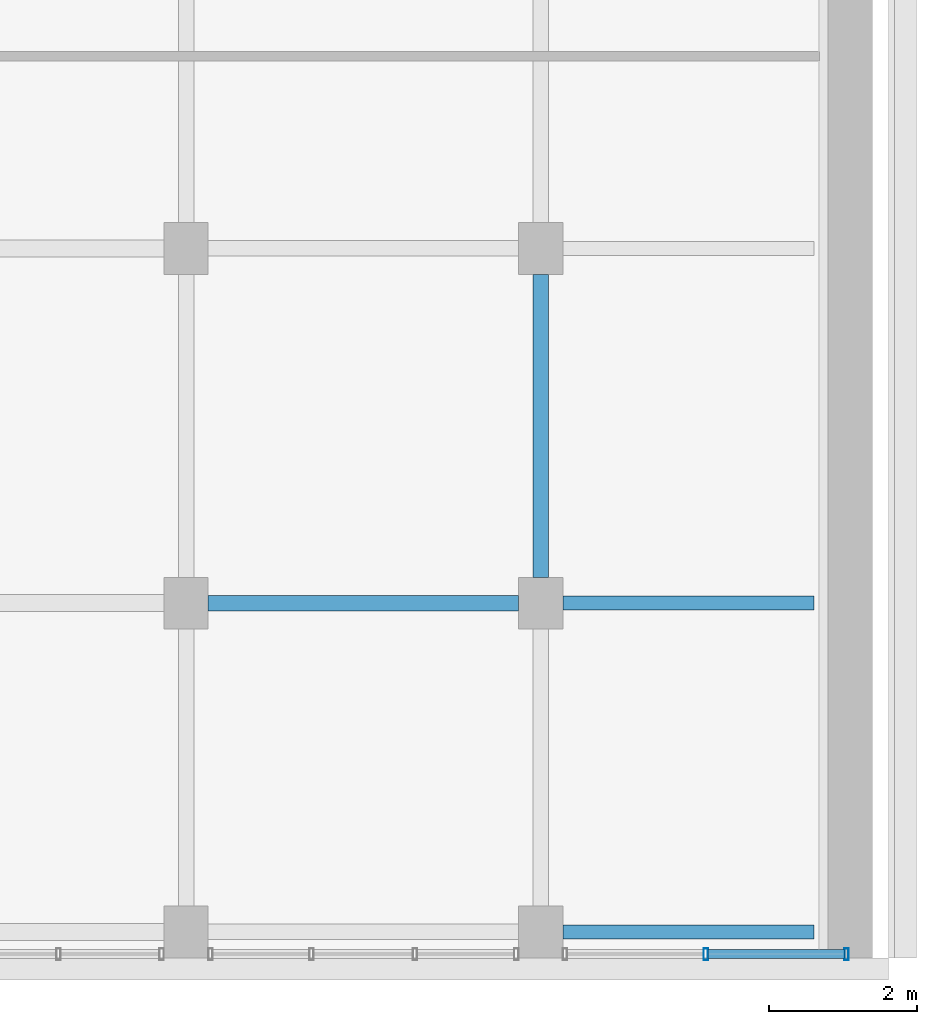
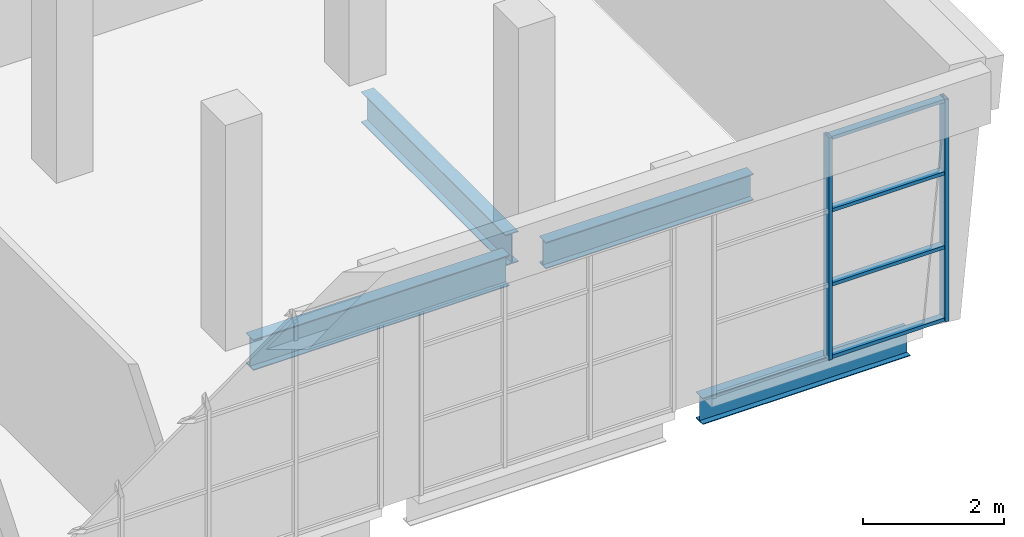
# One storey, part 8 of 22: 6 members, 4 beams, 1 element without a shape of its own.
"""IFC4 building model written with IfcOpenShell, lengths in metres."""

from ifc_helpers import new_model, si_unit, direction, frame, origin, origin_2d, place, context, subcontext, project, spatial, hollow_rectangle, i_section, extrude, material, layer, layer_set, material_profile, profile_set, type_object, element, aggregate, save


model = new_model("IFC4")

# Units and contexts
model_context = context("Model", 3, precision=1e-05, world=origin(), true_north=direction((0.0, 1.0)))
body_context = subcontext(model_context, "Body", "Model", "MODEL_VIEW")
ifc_project = project(units=[si_unit("LENGTHUNIT", "METRE"), si_unit("AREAUNIT", "SQUARE_METRE"), si_unit("VOLUMEUNIT", "CUBIC_METRE"), si_unit("PLANEANGLEUNIT", "RADIAN"), si_unit("MASSUNIT", "GRAM", prefix="KILO")], contexts=[model_context])

# Site, building, storey
site_placement = place(None, origin())
site = spatial("IfcSite", under=ifc_project, at=site_placement, CompositionType="ELEMENT")
building_placement = place(site_placement, origin())
building = spatial("IfcBuilding", under=site, at=building_placement, Name="Baori Bourse Tower", CompositionType="ELEMENT")
storey_placement = place(building_placement, frame((0.0, 0.0, 25.800048828125)))
storey = spatial("IfcBuildingStorey", under=building, at=storey_placement, Name="L04", CompositionType="ELEMENT", Elevation=25.800048828125)

# Beams
ifc_material_1 = material(Name="Steel A992 Gr 50", Category="steel")
ifc_material_profile_1 = material_profile(ifc_material_1, i_section(OverallWidth=0.1904296875, OverallDepth=0.457275390625, WebThickness=0.009033203125, FlangeThickness=0.014404296875, at=origin_2d()), Name="W18x50")
ifc_profile_set_1 = profile_set([ifc_material_profile_1], Name="Steel A992 Gr 50")
beam_type_1 = type_object("IfcBeamType", Name="Wing beam W18x50", PredefinedType="BEAM", material=ifc_profile_set_1)
for number, where, z_axis, x_axis, name in (
    (1, (75.700439453125, -24.85009765625, -0.388671875), (-1.0, 0.0, 0.0), (0.0, -1.0, 0.0), "wing/L04/Ebeam/001"),
    (2, (75.700439453125, -20.39990234375, -0.388671875), (-1.0, 0.0, 0.0), (0.0, -1.0, 0.0), "wing/L04/Ebeam/004"),
):
    element("IfcBeam", number, at=place(storey_placement, frame(where, z_axis=z_axis, x_axis=x_axis)), inside=storey, type_object=beam_type_1, Name=name, PredefinedType="BEAM", context=body_context, shape_type="SweptSolid", body=[
        extrude(i_section(OverallWidth=0.1904296875, OverallDepth=0.457275390625, WebThickness=0.009033203125, FlangeThickness=0.014404296875, at=origin_2d()), origin(), (0.0, 0.0, 1.0), 3.400390625),
    ])
ifc_material_2 = material(Name="Steel A992 Gr 50", Category="steel")
ifc_material_profile_2 = material_profile(ifc_material_2, i_section(OverallWidth=0.209228515625, OverallDepth=0.533447265625, WebThickness=0.01025390625, FlangeThickness=0.015625, at=origin_2d()), Name="W21x62")
ifc_profile_set_2 = profile_set([ifc_material_profile_2], Name="Steel A992 Gr 50")
beam_type_2 = type_object("IfcBeamType", Name="Wing beam W21x62", PredefinedType="BEAM", material=ifc_profile_set_2)
beam_1_placement = place(storey_placement, frame((71.699951171875, -20.39990234375, -0.4267578125), z_axis=(-1.0, 0.0, 0.0), x_axis=(0.0, -1.0, 0.0)))
element("IfcBeam", 3, at=beam_1_placement, inside=storey, type_object=beam_type_2, Name="wing/L04/Ebeam/005", PredefinedType="BEAM", context=body_context, shape_type="SweptSolid", body=[
    extrude(i_section(OverallWidth=0.209228515625, OverallDepth=0.533447265625, WebThickness=0.01025390625, FlangeThickness=0.015625, at=origin_2d()), origin(), (0.0, 0.0, 1.0), 4.199951171875),
])
beam_2_placement = place(storey_placement, frame((72.0, -20.050048828125, -0.4267578125), z_axis=(0.0, 1.0, 0.0), x_axis=(-1.0, 0.0, 0.0)))
element("IfcBeam", 4, at=beam_2_placement, inside=storey, type_object=beam_type_2, Name="wing/L04/Ebeamy/002", PredefinedType="BEAM", context=body_context, shape_type="SweptSolid", body=[
    extrude(i_section(OverallWidth=0.209228515625, OverallDepth=0.533447265625, WebThickness=0.01025390625, FlangeThickness=0.015625, at=origin_2d()), origin(), (0.0, 0.0, 1.0), 4.10009765625),
])

# Curtain wall, members
ifc_material_3 = material(Name="Pale anodised aluminium", Category="aluminium")
ifc_layer = layer(ifc_material_3, 0.10009765625)
ifc_layer_set = layer_set([ifc_layer], Name="Wing curtain wall")
curtain_wall_type = type_object("IfcCurtainWallType", Name="Wing curtain wall", PredefinedType="NOTDEFINED", material=ifc_layer_set)
curtain_wall_placement = place(storey_placement, origin())
curtain_wall = element("IfcCurtainWall", 5, at=curtain_wall_placement, inside=storey, type_object=curtain_wall_type, Name="wing/L04/Ecw/001", PredefinedType="NOTDEFINED")
ifc_material_4 = material(Name="Pale anodised aluminium", Category="aluminium")
ifc_material_profile_3 = material_profile(ifc_material_4, hollow_rectangle(XDim=0.159912109375, YDim=0.06005859375, WallThickness=0.0048828125, at=origin_2d()), Name="Mullion 160x60x5")
ifc_profile_set_3 = profile_set([ifc_material_profile_3], Name="Pale anodised aluminium")
member_type_1 = type_object("IfcMemberType", Name="Wing mullion 60x160", PredefinedType="MULLION", material=ifc_profile_set_3)
member_1_placement = place(storey_placement, frame((74.234130859375, -25.14990234375, 0.0), z_axis=(0.0, 0.0, 1.0), x_axis=(0.0, 1.0, 0.0)))
member_1 = element("IfcMember", 6, at=member_1_placement, type_object=member_type_1, Name="X12 mullion 2", PredefinedType="MULLION", context=body_context, shape_type="SweptSolid", body=[
    extrude(hollow_rectangle(XDim=0.159912109375, YDim=0.06005859375, WallThickness=0.0048828125, at=origin_2d()), origin(), (0.0, 0.0, 1.0), 3.849853515625),
])
member_2_placement = place(storey_placement, frame((76.138427734375, -25.14990234375, 0.0), z_axis=(0.0, 0.0, 1.0), x_axis=(0.0, 1.0, 0.0)))
member_2 = element("IfcMember", 7, at=member_2_placement, type_object=member_type_1, Name="X12 mullion 3", PredefinedType="MULLION", context=body_context, shape_type="SweptSolid", body=[
    extrude(hollow_rectangle(XDim=0.159912109375, YDim=0.06005859375, WallThickness=0.0048828125, at=origin_2d()), origin(), (0.0, 0.0, 1.0), 3.849853515625),
])
ifc_material_5 = material(Name="Pale anodised aluminium", Category="aluminium")
ifc_material_profile_4 = material_profile(ifc_material_5, hollow_rectangle(XDim=0.1201171875, YDim=0.06005859375, WallThickness=0.0048828125, at=origin_2d()), Name="Transom 120x60x5")
ifc_profile_set_4 = profile_set([ifc_material_profile_4], Name="Pale anodised aluminium")
member_type_2 = type_object("IfcMemberType", Name="Wing transom 120x60", PredefinedType="USERDEFINED", material=ifc_profile_set_4)
member_3_placement = place(storey_placement, frame((74.26416015625, -25.14990234375, 0.030029296875), z_axis=(1.0, 0.0, 0.0), x_axis=(0.0, 1.0, 0.0)))
member_3 = element("IfcMember", 8, at=member_3_placement, type_object=member_type_2, Name="X12 transom 2.1", ObjectType="TRANSOM", PredefinedType="USERDEFINED", context=body_context, shape_type="SweptSolid", body=[
    extrude(hollow_rectangle(XDim=0.1201171875, YDim=0.06005859375, WallThickness=0.0048828125, at=origin_2d()), origin(), (0.0, 0.0, 1.0), 1.84423828125),
])
member_4_placement = place(storey_placement, frame((74.26416015625, -25.14990234375, 1.283203125), z_axis=(1.0, 0.0, 0.0), x_axis=(0.0, 1.0, 0.0)))
member_4 = element("IfcMember", 9, at=member_4_placement, type_object=member_type_2, Name="X12 transom 2.2", ObjectType="TRANSOM", PredefinedType="USERDEFINED", context=body_context, shape_type="SweptSolid", body=[
    extrude(hollow_rectangle(XDim=0.1201171875, YDim=0.06005859375, WallThickness=0.0048828125, at=origin_2d()), origin(), (0.0, 0.0, 1.0), 1.84423828125),
])
member_5_placement = place(storey_placement, frame((74.26416015625, -25.14990234375, 2.566650390625), z_axis=(1.0, 0.0, 0.0), x_axis=(0.0, 1.0, 0.0)))
member_5 = element("IfcMember", 10, at=member_5_placement, type_object=member_type_2, Name="X12 transom 2.3", ObjectType="TRANSOM", PredefinedType="USERDEFINED", context=body_context, shape_type="SweptSolid", body=[
    extrude(hollow_rectangle(XDim=0.1201171875, YDim=0.06005859375, WallThickness=0.0048828125, at=origin_2d()), origin(), (0.0, 0.0, 1.0), 1.84423828125),
])
member_6_placement = place(storey_placement, frame((74.26416015625, -25.14990234375, 3.820068359375), z_axis=(1.0, 0.0, 0.0), x_axis=(0.0, 1.0, 0.0)))
member_6 = element("IfcMember", 11, at=member_6_placement, type_object=member_type_2, Name="X12 transom 2.4", ObjectType="TRANSOM", PredefinedType="USERDEFINED", context=body_context, shape_type="SweptSolid", body=[
    extrude(hollow_rectangle(XDim=0.1201171875, YDim=0.06005859375, WallThickness=0.0048828125, at=origin_2d()), origin(), (0.0, 0.0, 1.0), 1.84423828125),
])
aggregate(curtain_wall, [member_1, member_2, member_3, member_4, member_5, member_6])

save(model, "model.ifc")
